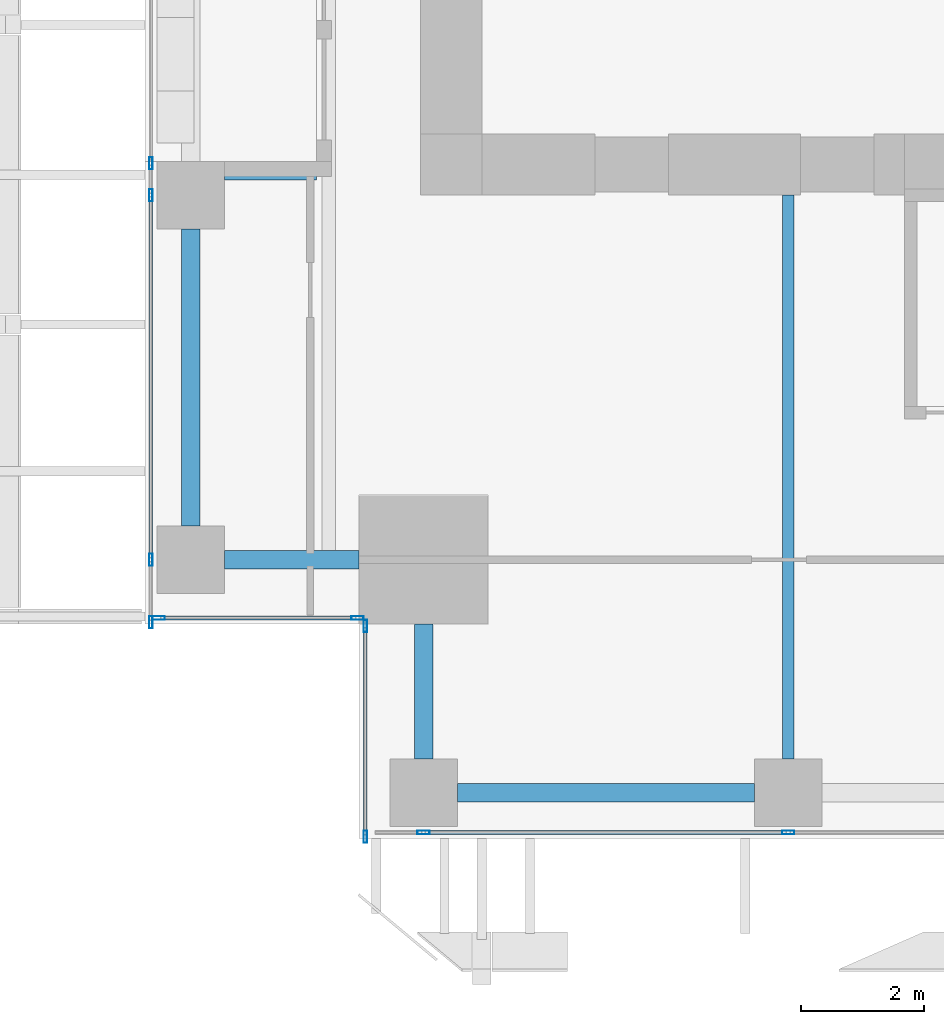
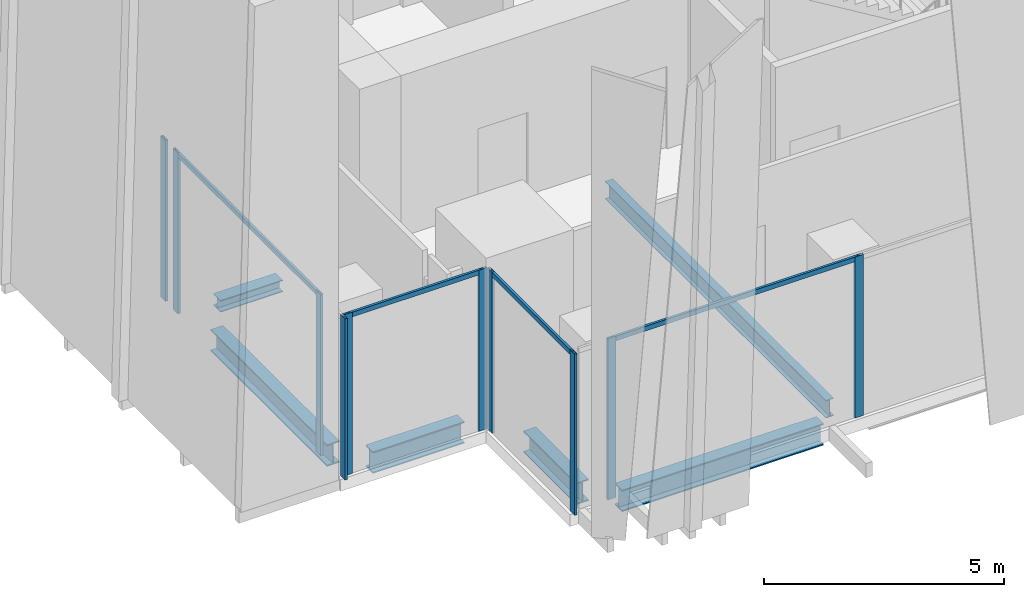
# One storey, part 2 of 34: 14 members, 6 beams, 4 elements without a shape of their own.
"""IFC4 building model written with IfcOpenShell, lengths in metres."""

from ifc_helpers import new_model, si_unit, direction, frame, origin, origin_2d, place, context, subcontext, project, spatial, hollow_rectangle, i_section, extrude, source, transform, mapped, material, material_profile, profile_set, type_object, element, aggregate, save


model = new_model("IFC4")

# Units and contexts
model_context = context("Model", 3, precision=1e-05, world=origin(), true_north=direction((0.0, 1.0)))
body_context = subcontext(model_context, "Body", "Model", "MODEL_VIEW")
ifc_project = project(units=[si_unit("LENGTHUNIT", "METRE"), si_unit("AREAUNIT", "SQUARE_METRE"), si_unit("VOLUMEUNIT", "CUBIC_METRE"), si_unit("PLANEANGLEUNIT", "RADIAN"), si_unit("MASSUNIT", "GRAM", prefix="KILO")], contexts=[model_context])

# Site, building, storey
site_placement = place(None, origin())
site = spatial("IfcSite", under=ifc_project, at=site_placement, CompositionType="ELEMENT")
building_placement = place(site_placement, origin())
building = spatial("IfcBuilding", under=site, at=building_placement, Name="Khomas Fold Tower", CompositionType="ELEMENT")
storey_placement = place(building_placement, frame((0.0, 0.0, 114.699951171875)))
storey = spatial("IfcBuildingStorey", under=building, at=storey_placement, Name="L24", CompositionType="ELEMENT", Elevation=114.699951171875)

# Beams
ifc_material_1 = material(Name="Steel S355", Category="steel")
ifc_material_profile_1 = material_profile(ifc_material_1, i_section(OverallWidth=0.300048828125, OverallDepth=0.550048828125, WebThickness=0.014892578125, FlangeThickness=0.029052734375, at=origin_2d()), Name="HE 550 B")
ifc_profile_set_1 = profile_set([ifc_material_profile_1], Name="Steel S355")
beam_type_1 = type_object("IfcBeamType", Name="HE 550 B spandrel SB2", PredefinedType="SPANDREL", material=ifc_profile_set_1)
shared_shape_1 = source(origin(), body_context, "Body", "SweptSolid", [
    extrude(i_section(OverallWidth=0.300048828125, OverallDepth=0.550048828125, WebThickness=0.014892578125, FlangeThickness=0.029052734375, at=origin_2d()), origin(), (0.0, 0.0, 1.0), 4.849853515625),
])
for number, where, z_axis, x_axis, name in (
    (1, (6.60009765625, 2.25, -0.574951171875), (1.0, 0.0, 0.0), (0.0, 1.0, 0.0), "SB2"),
    (2, (2.25, 6.60009765625, -0.574951171875), (0.0, 1.0, 0.0), (-1.0, 0.0, 0.0), "SB2"),
):
    element("IfcBeam", number, at=place(storey_placement, frame(where, z_axis=z_axis, x_axis=x_axis)), inside=storey, type_object=beam_type_1, Name=name, PredefinedType="SPANDREL", context=body_context, shape_type="MappedRepresentation", body=[
        mapped(shared_shape_1, transform((0.0, 0.0, 0.0))),
    ])
shared_shape_2 = source(origin(), body_context, "Body", "SweptSolid", [
    extrude(i_section(OverallWidth=0.300048828125, OverallDepth=0.550048828125, WebThickness=0.014892578125, FlangeThickness=0.029052734375, at=origin_2d()), origin(), (0.0, 0.0, 1.0), 2.199951171875),
])
for number, where, z_axis, x_axis, name in (
    (3, (2.800048828125, 6.050048828125, -0.574951171875), (1.0, 0.0, 0.0), (0.0, 1.0, 0.0), "SB2"),
    (4, (6.050048828125, 2.800048828125, -0.574951171875), (0.0, 1.0, 0.0), (-1.0, 0.0, 0.0), "SB2"),
):
    element("IfcBeam", number, at=place(storey_placement, frame(where, z_axis=z_axis, x_axis=x_axis)), inside=storey, type_object=beam_type_1, Name=name, PredefinedType="SPANDREL", context=body_context, shape_type="MappedRepresentation", body=[
        mapped(shared_shape_2, transform((0.0, 0.0, 0.0))),
    ])
ifc_material_2 = material(Name="Steel S355", Category="steel")
ifc_material_profile_2 = material_profile(ifc_material_2, i_section(OverallWidth=0.18994140625, OverallDepth=0.449951171875, WebThickness=0.009521484375, FlangeThickness=0.0146484375, at=origin_2d()), Name="IPE 450")
ifc_profile_set_2 = profile_set([ifc_material_profile_2], Name="Steel S355")
beam_type_2 = type_object("IfcBeamType", Name="IPE 450 beam JB4", PredefinedType="BEAM", material=ifc_profile_set_2)
shared_shape_3 = source(origin(), body_context, "Body", "SweptSolid", [
    extrude(i_section(OverallWidth=0.18994140625, OverallDepth=0.449951171875, WebThickness=0.009521484375, FlangeThickness=0.0146484375, at=origin_2d()), origin(), (0.0, 0.0, 1.0), 9.199951171875),
])
beam_1_placement = place(storey_placement, frame((12.0, 2.800048828125, -0.52490234375), z_axis=(0.0, 1.0, 0.0), x_axis=(-1.0, 0.0, 0.0)))
element("IfcBeam", 5, at=beam_1_placement, inside=storey, type_object=beam_type_2, Name="JB4", PredefinedType="BEAM", context=body_context, shape_type="MappedRepresentation", body=[
    mapped(shared_shape_3, transform((0.0, 0.0, 0.0))),
])
ifc_material_3 = material(Name="Steel S355", Category="steel")
ifc_material_profile_3 = material_profile(ifc_material_3, i_section(OverallWidth=0.300048828125, OverallDepth=0.300048828125, WebThickness=0.010986328125, FlangeThickness=0.01904296875, at=origin_2d()), Name="HE 300 B")
ifc_profile_set_3 = profile_set([ifc_material_profile_3], Name="Steel S355")
beam_type_3 = type_object("IfcBeamType", Name="HE 300 B beam BB1", PredefinedType="BEAM", material=ifc_profile_set_3)
shared_shape_4 = source(origin(), body_context, "Body", "SweptSolid", [
    extrude(i_section(OverallWidth=0.300048828125, OverallDepth=0.300048828125, WebThickness=0.010986328125, FlangeThickness=0.01904296875, at=origin_2d()), origin(), (0.0, 0.0, 1.0), 1.5),
])
beam_2_placement = place(storey_placement, frame((2.800048828125, 12.39990234375, -0.449951171875), z_axis=(1.0, 0.0, 0.0), x_axis=(0.0, 1.0, 0.0)))
element("IfcBeam", 6, at=beam_2_placement, inside=storey, type_object=beam_type_3, Name="BB1", PredefinedType="BEAM", context=body_context, shape_type="MappedRepresentation", body=[
    mapped(shared_shape_4, transform((0.0, 0.0, 0.0))),
])

# Curtain wall, members
ifc_material_4 = material(Name="Aluminium framed double glazing", Category="aluminium")
curtain_wall_type = type_object("IfcCurtainWallType", Name="SK-Unitised clear-glass wall, growing floors CW1", PredefinedType="NOTDEFINED", material=ifc_material_4)
curtain_wall_1_placement = place(storey_placement, origin())
curtain_wall_1 = element("IfcCurtainWall", 7, at=curtain_wall_1_placement, inside=storey, type_object=curtain_wall_type, Name="CW1 run L24 00-0", PredefinedType="NOTDEFINED")
ifc_material_5 = material(Name="Aluminium", Category="aluminium")
ifc_material_profile_4 = material_profile(ifc_material_5, hollow_rectangle(XDim=0.06005859375, YDim=0.199951171875, WallThickness=0.00390625, at=origin_2d()), Name="SK-Unitised clear-glass wall, growing floors mullion CW1-M")
ifc_profile_set_4 = profile_set([ifc_material_profile_4], Name="Aluminium")
member_type_1 = type_object("IfcMemberType", Name="SK-Unitised clear-glass wall, growing floors mullion CW1-M", PredefinedType="MULLION", material=ifc_profile_set_4)
shared_shape_5 = source(origin(), body_context, "Body", "SweptSolid", [
    extrude(hollow_rectangle(XDim=0.06005859375, YDim=0.199951171875, WallThickness=0.00390625, at=origin_2d()), origin(), (0.0, 0.0, 1.0), 4.10009765625),
])
member_1_placement = place(storey_placement, frame((6.050048828125, 1.60009765625, 0.0), z_axis=(0.0, 0.0, 1.0), x_axis=(0.0, 1.0, 0.0)))
member_1 = element("IfcMember", 8, at=member_1_placement, type_object=member_type_1, Name="CW1 mullion 2", PredefinedType="MULLION", context=body_context, shape_type="MappedRepresentation", body=[
    mapped(shared_shape_5, transform((0.0, 0.0, 0.0))),
])
member_2_placement = place(storey_placement, frame((12.0, 1.60009765625, 0.0), z_axis=(0.0, 0.0, 1.0), x_axis=(0.0, 1.0, 0.0)))
member_2 = element("IfcMember", 9, at=member_2_placement, type_object=member_type_1, Name="CW1 mullion 3", PredefinedType="MULLION", context=body_context, shape_type="MappedRepresentation", body=[
    mapped(shared_shape_5, transform((0.0, 0.0, 0.0))),
])

curtain_wall_2_placement = place(storey_placement, origin())
curtain_wall_2 = element("IfcCurtainWall", 10, at=curtain_wall_2_placement, inside=storey, type_object=curtain_wall_type, Name="CW1 run L24 09-1", PredefinedType="NOTDEFINED")
member_3_placement = place(storey_placement, frame((1.60009765625, 12.52001953125, 0.0), z_axis=(0.0, 0.0, 1.0), x_axis=(1.0, 0.0, 0.0)))
member_3 = element("IfcMember", 11, at=member_3_placement, type_object=member_type_1, Name="CW1 mullion 1", PredefinedType="MULLION", context=body_context, shape_type="MappedRepresentation", body=[
    mapped(shared_shape_5, transform((0.0, 0.0, 0.0))),
])
member_4_placement = place(storey_placement, frame((1.60009765625, 12.0, 0.0), z_axis=(0.0, 0.0, 1.0), x_axis=(1.0, 0.0, 0.0)))
member_4 = element("IfcMember", 12, at=member_4_placement, type_object=member_type_1, Name="CW1 mullion 2", PredefinedType="MULLION", context=body_context, shape_type="MappedRepresentation", body=[
    mapped(shared_shape_5, transform((0.0, 0.0, 0.0))),
])
member_5_placement = place(storey_placement, frame((1.60009765625, 6.050048828125, 0.0), z_axis=(0.0, 0.0, 1.0), x_axis=(1.0, 0.0, 0.0)))
member_5 = element("IfcMember", 13, at=member_5_placement, type_object=member_type_1, Name="CW1 mullion 3", PredefinedType="MULLION", context=body_context, shape_type="MappedRepresentation", body=[
    mapped(shared_shape_5, transform((0.0, 0.0, 0.0))),
])
member_6_placement = place(storey_placement, frame((1.60009765625, 5.030029296875, 0.0), z_axis=(0.0, 0.0, 1.0), x_axis=(1.0, 0.0, 0.0)))
member_6 = element("IfcMember", 14, at=member_6_placement, type_object=member_type_1, Name="CW1 mullion 4", PredefinedType="MULLION", context=body_context, shape_type="MappedRepresentation", body=[
    mapped(shared_shape_5, transform((0.0, 0.0, 0.0))),
])

curtain_wall_3_placement = place(storey_placement, origin())
curtain_wall_3 = element("IfcCurtainWall", 15, at=curtain_wall_3_placement, inside=storey, type_object=curtain_wall_type, Name="CW1 corner return L24 10", PredefinedType="NOTDEFINED")
member_7_placement = place(storey_placement, frame((1.72998046875, 5.10009765625, 0.0), z_axis=(0.0, 0.0, 1.0), x_axis=(0.0, 1.0, 0.0)))
member_7 = element("IfcMember", 16, at=member_7_placement, type_object=member_type_1, Name="CW1 mullion 1", PredefinedType="MULLION", context=body_context, shape_type="MappedRepresentation", body=[
    mapped(shared_shape_5, transform((0.0, 0.0, 0.0))),
])
member_8_placement = place(storey_placement, frame((4.969970703125, 5.10009765625, 0.0), z_axis=(0.0, 0.0, 1.0), x_axis=(0.0, 1.0, 0.0)))
member_8 = element("IfcMember", 17, at=member_8_placement, type_object=member_type_1, Name="CW1 mullion 2", PredefinedType="MULLION", context=body_context, shape_type="MappedRepresentation", body=[
    mapped(shared_shape_5, transform((0.0, 0.0, 0.0))),
])

curtain_wall_4_placement = place(storey_placement, origin())
curtain_wall_4 = element("IfcCurtainWall", 18, at=curtain_wall_4_placement, inside=storey, type_object=curtain_wall_type, Name="CW1 corner return L24 11", PredefinedType="NOTDEFINED")
member_9_placement = place(storey_placement, frame((5.10009765625, 4.969970703125, 0.0), z_axis=(0.0, 0.0, 1.0), x_axis=(1.0, 0.0, 0.0)))
member_9 = element("IfcMember", 19, at=member_9_placement, type_object=member_type_1, Name="CW1 mullion 1", PredefinedType="MULLION", context=body_context, shape_type="MappedRepresentation", body=[
    mapped(shared_shape_5, transform((0.0, 0.0, 0.0))),
])
member_10_placement = place(storey_placement, frame((5.10009765625, 1.530029296875, 0.0), z_axis=(0.0, 0.0, 1.0), x_axis=(1.0, 0.0, 0.0)))
member_10 = element("IfcMember", 20, at=member_10_placement, type_object=member_type_1, Name="CW1 mullion 2", PredefinedType="MULLION", context=body_context, shape_type="MappedRepresentation", body=[
    mapped(shared_shape_5, transform((0.0, 0.0, 0.0))),
])

# Member
ifc_material_6 = material(Name="Aluminium", Category="aluminium")
ifc_material_profile_5 = material_profile(ifc_material_6, hollow_rectangle(XDim=0.06005859375, YDim=0.1201171875, WallThickness=0.00390625, at=origin_2d()), Name="SK-Unitised clear-glass wall, growing floors transom CW1-T")
ifc_profile_set_5 = profile_set([ifc_material_profile_5], Name="Aluminium")
member_type_2 = type_object("IfcMemberType", Name="SK-Unitised clear-glass wall, growing floors transom CW1-T", PredefinedType="USERDEFINED", material=ifc_profile_set_5)
shared_shape_6 = source(origin(), body_context, "Body", "SweptSolid", [
    extrude(hollow_rectangle(XDim=0.06005859375, YDim=0.1201171875, WallThickness=0.00390625, at=origin_2d()), origin(), (0.0, 0.0, 1.0), 5.889892578125),
])
member_11_placement = place(storey_placement, frame((6.080078125, 1.60009765625, 4.0400390625), z_axis=(1.0, 0.0, 0.0), x_axis=(0.0, 1.0, 0.0)))
member_11 = element("IfcMember", 21, at=member_11_placement, type_object=member_type_2, Name="CW1 transom 2", ObjectType="TRANSOM", PredefinedType="USERDEFINED", context=body_context, shape_type="MappedRepresentation", body=[
    mapped(shared_shape_6, transform((0.0, 0.0, 0.0))),
])

aggregate(curtain_wall_1, [member_1, member_2, member_11])

member_12_placement = place(storey_placement, frame((1.60009765625, 11.969970703125, 4.0400390625), z_axis=(0.0, -1.0, 0.0), x_axis=(1.0, 0.0, 0.0)))
member_12 = element("IfcMember", 22, at=member_12_placement, type_object=member_type_2, Name="CW1 transom 2", ObjectType="TRANSOM", PredefinedType="USERDEFINED", context=body_context, shape_type="MappedRepresentation", body=[
    mapped(shared_shape_6, transform((0.0, 0.0, 0.0))),
])

aggregate(curtain_wall_2, [member_3, member_4, member_5, member_6, member_12])

shared_shape_7 = source(origin(), body_context, "Body", "SweptSolid", [
    extrude(hollow_rectangle(XDim=0.06005859375, YDim=0.1201171875, WallThickness=0.00390625, at=origin_2d()), origin(), (0.0, 0.0, 1.0), 3.179931640625),
])
member_13_placement = place(storey_placement, frame((1.760009765625, 5.10009765625, 4.0400390625), z_axis=(1.0, 0.0, 0.0), x_axis=(0.0, 1.0, 0.0)))
member_13 = element("IfcMember", 23, at=member_13_placement, type_object=member_type_2, Name="CW1 transom 1", ObjectType="TRANSOM", PredefinedType="USERDEFINED", context=body_context, shape_type="MappedRepresentation", body=[
    mapped(shared_shape_7, transform((0.0, 0.0, 0.0))),
])

aggregate(curtain_wall_3, [member_7, member_8, member_13])

shared_shape_8 = source(origin(), body_context, "Body", "SweptSolid", [
    extrude(hollow_rectangle(XDim=0.06005859375, YDim=0.1201171875, WallThickness=0.00390625, at=origin_2d()), origin(), (0.0, 0.0, 1.0), 3.3798828125),
])
member_14_placement = place(storey_placement, frame((5.10009765625, 4.93994140625, 4.0400390625), z_axis=(0.0, -1.0, 0.0), x_axis=(1.0, 0.0, 0.0)))
member_14 = element("IfcMember", 24, at=member_14_placement, type_object=member_type_2, Name="CW1 transom 1", ObjectType="TRANSOM", PredefinedType="USERDEFINED", context=body_context, shape_type="MappedRepresentation", body=[
    mapped(shared_shape_8, transform((0.0, 0.0, 0.0))),
])

aggregate(curtain_wall_4, [member_9, member_10, member_14])

save(model, "model.ifc")
